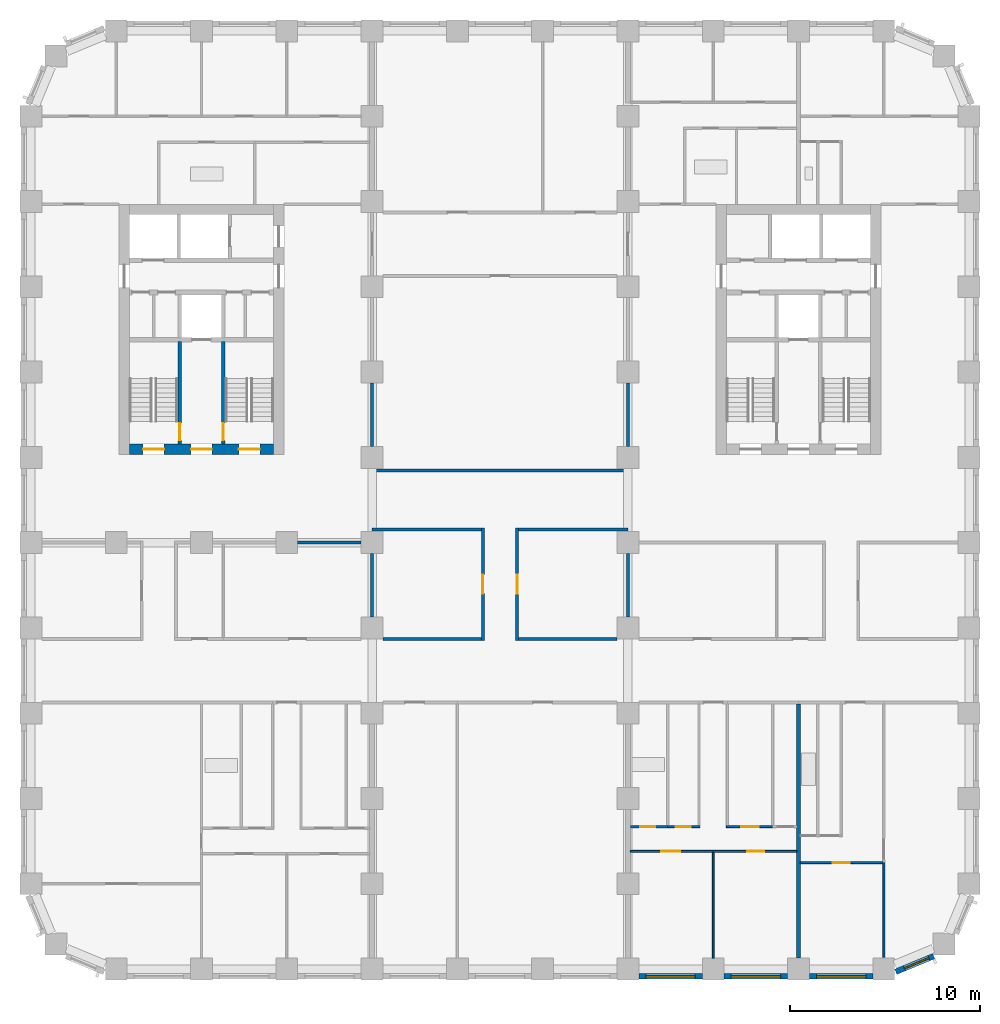
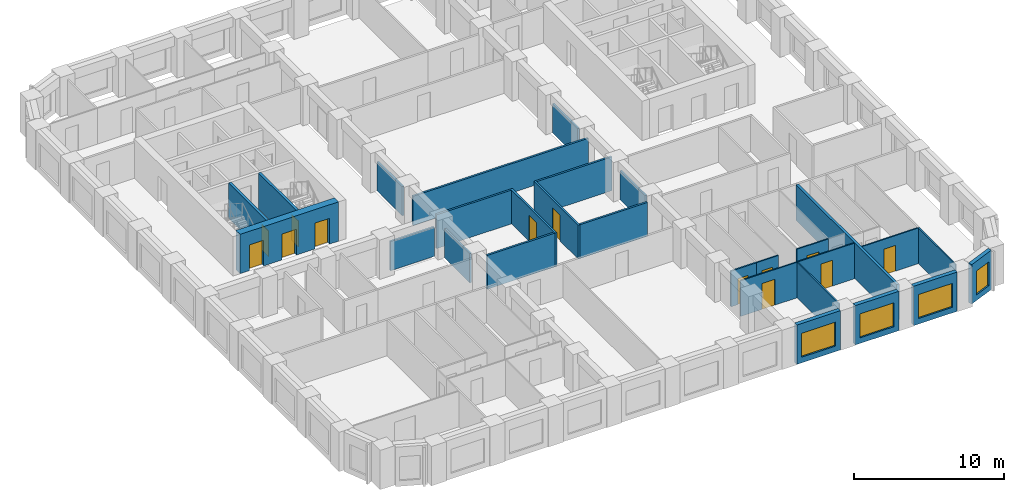
# One storey, part 4 of 12: 28 walls, 13 doors, 4 windows, 17 openings.
"""IFC4 building model written with IfcOpenShell, lengths in metres."""

from ifc_helpers import new_model, si_unit, direction, frame, frame_2d, origin, place, context, subcontext, project, spatial, rectangle, extrude, material, layer, layer_set, type_object, element, fill, save


model = new_model("IFC4")

# Units and contexts
model_context = context("Model", 3, precision=1e-05, world=origin(), true_north=direction((0.0, 1.0)))
body_context = subcontext(model_context, "Body", "Model", "MODEL_VIEW")
ifc_project = project(units=[si_unit("LENGTHUNIT", "METRE"), si_unit("AREAUNIT", "SQUARE_METRE"), si_unit("VOLUMEUNIT", "CUBIC_METRE"), si_unit("PLANEANGLEUNIT", "RADIAN"), si_unit("MASSUNIT", "GRAM", prefix="KILO")], contexts=[model_context])

# Site, building, storey
site_placement = place(None, origin())
site = spatial("IfcSite", under=ifc_project, at=site_placement, CompositionType="ELEMENT")
building_placement = place(site_placement, origin())
building = spatial("IfcBuilding", under=site, at=building_placement, Name="Girih Gate Residences", CompositionType="ELEMENT")
storey_placement = place(building_placement, frame((0.0, 0.0, 108.800048828125)))
storey = spatial("IfcBuildingStorey", under=building, at=storey_placement, Name="L30", CompositionType="ELEMENT", Elevation=108.800048828125)

# Wall, opening, door
ifc_material_1 = material(Name="Gypsum board on steel studs", Category="steel")
ifc_layer_1 = layer(ifc_material_1, 0.14990234375)
ifc_layer_set_1 = layer_set([ifc_layer_1], Name="Compartment wall 150 mm")
wall_type_1 = type_object("IfcWallType", Name="Compartment wall 150 mm", PredefinedType="PARTITIONING", material=ifc_layer_set_1)
wall_1_placement = place(storey_placement, frame((23.85009765625, 17.35009765625, 0.0), z_axis=(0.0, 0.0, 1.0), x_axis=(0.0, 1.0, 0.0)))
wall_1 = element("IfcWall", 1, at=wall_1_placement, inside=storey, type_object=wall_type_1, Name="L30 partition", PredefinedType="PARTITIONING", context=body_context, shape_type="SweptSolid", body=[
    extrude(rectangle(XDim=5.9248046875, YDim=0.14990234375, at=frame_2d((2.96240234375, 0.0))), origin(), (0.0, 0.0, 1.0), 2.75),
])
opening_1_placement = place(wall_1_placement, frame((2.46240234375, 0.0, 0.0)))
opening_1 = element("IfcOpeningElement", 2, at=opening_1_placement, cuts=wall_1, Name="Opening A30-046", PredefinedType="OPENING", context=body_context, shape_type="SweptSolid", body=[
    extrude(rectangle(XDim=1.0, YDim=2.10009765625, at=frame_2d((0.5, 1.050048828125))), frame((0.0, 0.0849609375, 0.0), z_axis=(0.0, -1.0, 0.0), x_axis=(1.0, 0.0, 0.0)), (0.0, 0.0, 1.0), 0.169921875),
])
ifc_material_2 = material(Name="Timber, fire-rated core", Category="wood")
door_type_1 = type_object("IfcDoorType", Name="Amenity room door 1000x2100 FD30S", OperationType="NOTDEFINED", PredefinedType="DOOR", material=ifc_material_2)
door_1_placement = place(opening_1_placement, origin())
door_1 = element("IfcDoor", 3, at=door_1_placement, inside=storey, type_object=door_type_1, Name="Door A30-046", OperationType="SINGLE_SWING_RIGHT", OverallHeight=2.10009765625, OverallWidth=1.0, PredefinedType="DOOR", context=body_context, shape_type="SweptSolid", body=[
    extrude(rectangle(XDim=1.0, YDim=2.10009765625, at=frame_2d((0.5, 1.050048828125))), frame((0.0, 0.02490234375, 0.0), z_axis=(0.0, -1.0, 0.0), x_axis=(1.0, 0.0, 0.0)), (0.0, 0.0, 1.0), 0.050048828125),
])
fill(opening_1, door_1)

wall_2_placement = place(storey_placement, frame((25.64990234375, 23.27490234375, 0.0), z_axis=(0.0, 0.0, 1.0), x_axis=(0.0, -1.0, 0.0)))
wall_2 = element("IfcWall", 4, at=wall_2_placement, inside=storey, type_object=wall_type_1, Name="L30 partition", PredefinedType="PARTITIONING", context=body_context, shape_type="SweptSolid", body=[
    extrude(rectangle(XDim=5.9248046875, YDim=0.14990234375, at=frame_2d((2.96240234375, 0.0))), origin(), (0.0, 0.0, 1.0), 2.75),
])
opening_2_placement = place(wall_2_placement, frame((2.46240234375, 0.0, 0.0)))
opening_2 = element("IfcOpeningElement", 5, at=opening_2_placement, cuts=wall_2, Name="Opening A30-047", PredefinedType="OPENING", context=body_context, shape_type="SweptSolid", body=[
    extrude(rectangle(XDim=1.0, YDim=2.10009765625, at=frame_2d((0.5, 1.050048828125))), frame((0.0, 0.0849609375, 0.0), z_axis=(0.0, -1.0, 0.0), x_axis=(1.0, 0.0, 0.0)), (0.0, 0.0, 1.0), 0.169921875),
])
door_2_placement = place(opening_2_placement, origin())
door_2 = element("IfcDoor", 6, at=door_2_placement, inside=storey, type_object=door_type_1, Name="Door A30-047", OperationType="SINGLE_SWING_RIGHT", OverallHeight=2.10009765625, OverallWidth=1.0, PredefinedType="DOOR", context=body_context, shape_type="SweptSolid", body=[
    extrude(rectangle(XDim=1.0, YDim=2.10009765625, at=frame_2d((0.5, 1.050048828125))), frame((0.0, 0.02490234375, 0.0), z_axis=(0.0, -1.0, 0.0), x_axis=(1.0, 0.0, 0.0)), (0.0, 0.0, 1.0), 0.050048828125),
])
fill(opening_2, door_2)

# Walls
for number, where, z_axis, x_axis, name in (
    (7, (18.574951171875, 17.425048828125, 0.0), (0.0, 0.0, 1.0), (1.0, 0.0, 0.0), "L30 partition"),
    (8, (25.72509765625, 17.425048828125, 0.0), (0.0, 0.0, 1.0), (1.0, 0.0, 0.0), "L30 partition"),
):
    element("IfcWall", number, at=place(storey_placement, frame(where, z_axis=z_axis, x_axis=x_axis)), inside=storey, type_object=wall_type_1, Name=name, PredefinedType="PARTITIONING", context=body_context, shape_type="SweptSolid", body=[
        extrude(rectangle(XDim=5.199951171875, YDim=0.14990234375, at=frame_2d((2.60009765625, 0.0))), origin(), (0.0, 0.0, 1.0), 2.75),
    ])
for number, where, z_axis, x_axis, name in (
    (9, (31.5, 27.574951171875, 0.0), (0.0, 0.0, 1.0), (0.0, 1.0, 0.0), "L30 partition"),
    (10, (18.0, 27.574951171875, 0.0), (0.0, 0.0, 1.0), (0.0, 1.0, 0.0), "L30 partition"),
):
    element("IfcWall", number, at=place(storey_placement, frame(where, z_axis=z_axis, x_axis=x_axis)), inside=storey, type_object=wall_type_1, Name=name, PredefinedType="PARTITIONING", context=body_context, shape_type="SweptSolid", body=[
        extrude(rectangle(XDim=3.35009765625, YDim=0.14990234375, at=frame_2d((1.675048828125, 0.0))), origin(), (0.0, 0.0, 1.0), 2.3798828125),
    ])
wall_3_placement = place(storey_placement, frame((18.0, 26.300048828125, 0.0), z_axis=(0.0, 0.0, 1.0), x_axis=(1.0, 0.0, 0.0)))
element("IfcWall", 11, at=wall_3_placement, inside=storey, type_object=wall_type_1, Name="L30 partition", PredefinedType="PARTITIONING", context=body_context, shape_type="SweptSolid", body=[
    extrude(rectangle(XDim=13.5, YDim=0.14990234375, at=frame_2d((6.75, 0.0))), origin(), (0.0, 0.0, 1.0), 2.3798828125),
])
wall_4_placement = place(storey_placement, frame((18.0, 23.199951171875, 0.0), z_axis=(0.0, 0.0, 1.0), x_axis=(1.0, 0.0, 0.0)))
element("IfcWall", 12, at=wall_4_placement, inside=storey, type_object=wall_type_1, Name="L30 partition", PredefinedType="PARTITIONING", context=body_context, shape_type="SweptSolid", body=[
    extrude(rectangle(XDim=5.77490234375, YDim=0.14990234375, at=frame_2d((2.887451171875, 0.0))), origin(), (0.0, 0.0, 1.0), 2.75),
])
wall_5_placement = place(storey_placement, frame((18.0, 18.574951171875, 0.0), z_axis=(0.0, 0.0, 1.0), x_axis=(0.0, 1.0, 0.0)))
element("IfcWall", 13, at=wall_5_placement, inside=storey, type_object=wall_type_1, Name="L30 partition", PredefinedType="PARTITIONING", context=body_context, shape_type="SweptSolid", body=[
    extrude(rectangle(XDim=3.35009765625, YDim=0.14990234375, at=frame_2d((1.675048828125, 0.0))), origin(), (0.0, 0.0, 1.0), 2.3798828125),
])
wall_6_placement = place(storey_placement, frame((25.72509765625, 23.199951171875, 0.0), z_axis=(0.0, 0.0, 1.0), x_axis=(1.0, 0.0, 0.0)))
element("IfcWall", 14, at=wall_6_placement, inside=storey, type_object=wall_type_1, Name="L30 partition", PredefinedType="PARTITIONING", context=body_context, shape_type="SweptSolid", body=[
    extrude(rectangle(XDim=5.77490234375, YDim=0.14990234375, at=frame_2d((2.887451171875, 0.0))), origin(), (0.0, 0.0, 1.0), 2.75),
])
for number, where, z_axis, x_axis, name in (
    (15, (31.5, 18.574951171875, 0.0), (0.0, 0.0, 1.0), (0.0, 1.0, 0.0), "L30 partition"),
    (16, (14.074951171875, 22.5, 0.0), (0.0, 0.0, 1.0), (1.0, 0.0, 0.0), "L30 partition"),
):
    element("IfcWall", number, at=place(storey_placement, frame(where, z_axis=z_axis, x_axis=x_axis)), inside=storey, type_object=wall_type_1, Name=name, PredefinedType="PARTITIONING", context=body_context, shape_type="SweptSolid", body=[
        extrude(rectangle(XDim=3.35009765625, YDim=0.14990234375, at=frame_2d((1.675048828125, 0.0))), origin(), (0.0, 0.0, 1.0), 2.3798828125),
    ])

# Wall, openings, doors
ifc_material_3 = material(Name="Concrete C60/75", Category="concrete")
ifc_layer_2 = layer(ifc_material_3, 0.550048828125)
ifc_layer_set_2 = layer_set([ifc_layer_2], Name="Core wall RC 550 Concrete C60/75")
wall_type_2 = type_object("IfcWallType", Name="Core wall RC 550 Concrete C60/75", PredefinedType="SOLIDWALL", material=ifc_layer_set_2)
wall_7_placement = place(storey_placement, frame((5.199951171875, 27.425048828125, 0.0), z_axis=(0.0, 0.0, 1.0), x_axis=(1.0, 0.0, 0.0)))
wall_7 = element("IfcWall", 17, at=wall_7_placement, inside=storey, type_object=wall_type_2, Name="Core wall W-S L30", PredefinedType="SOLIDWALL", context=body_context, shape_type="SweptSolid", body=[
    extrude(rectangle(XDim=7.60009765625, YDim=0.550048828125, at=frame_2d((3.800048828125, 0.0))), origin(), (0.0, 0.0, 1.0), 3.199951171875),
])
opening_3_placement = place(wall_7_placement, frame((0.72509765625, 0.0, 0.0)))
opening_3 = element("IfcOpeningElement", 18, at=opening_3_placement, cuts=wall_7, Name="Opening D-L30-W-010", PredefinedType="OPENING", context=body_context, shape_type="SweptSolid", body=[
    extrude(rectangle(XDim=1.10009765625, YDim=2.10009765625, at=frame_2d((0.550048828125, 1.050048828125))), frame((0.0, 0.284912109375, 0.0), z_axis=(0.0, -1.0, 0.0), x_axis=(1.0, 0.0, 0.0)), (0.0, 0.0, 1.0), 0.570068359375),
])
opening_4_placement = place(wall_7_placement, frame((3.25, 0.0, 0.0)))
opening_4 = element("IfcOpeningElement", 19, at=opening_4_placement, cuts=wall_7, Name="Opening D-L30-W-011", PredefinedType="OPENING", context=body_context, shape_type="SweptSolid", body=[
    extrude(rectangle(XDim=1.10009765625, YDim=2.10009765625, at=frame_2d((0.550048828125, 1.050048828125))), frame((0.0, 0.284912109375, 0.0), z_axis=(0.0, -1.0, 0.0), x_axis=(1.0, 0.0, 0.0)), (0.0, 0.0, 1.0), 0.570068359375),
])
opening_5_placement = place(wall_7_placement, frame((5.77490234375, 0.0, 0.0)))
opening_5 = element("IfcOpeningElement", 20, at=opening_5_placement, cuts=wall_7, Name="Opening D-L30-W-012", PredefinedType="OPENING", context=body_context, shape_type="SweptSolid", body=[
    extrude(rectangle(XDim=1.10009765625, YDim=2.10009765625, at=frame_2d((0.550048828125, 1.050048828125))), frame((0.0, 0.284912109375, 0.0), z_axis=(0.0, -1.0, 0.0), x_axis=(1.0, 0.0, 0.0)), (0.0, 0.0, 1.0), 0.570068359375),
])
ifc_material_4 = material(Name="Painted steel, fire-resisting", Category="steel")
door_type_2 = type_object("IfcDoorType", Name="Fire door 1100x2100", OperationType="SINGLE_SWING_LEFT", PredefinedType="DOOR", material=ifc_material_4)
door_3_placement = place(opening_3_placement, origin())
door_3 = element("IfcDoor", 21, at=door_3_placement, inside=storey, type_object=door_type_2, Name="L30 W core door sta-out", OperationType="SINGLE_SWING_LEFT", OverallHeight=2.10009765625, OverallWidth=1.10009765625, PredefinedType="DOOR", context=body_context, shape_type="SweptSolid", body=[
    extrude(rectangle(XDim=1.10009765625, YDim=2.10009765625, at=frame_2d((0.550048828125, 1.050048828125))), frame((0.0, 0.02490234375, 0.0), z_axis=(0.0, -1.0, 0.0), x_axis=(1.0, 0.0, 0.0)), (0.0, 0.0, 1.0), 0.050048828125),
])
fill(opening_3, door_3)
door_4_placement = place(opening_4_placement, origin())
door_4 = element("IfcDoor", 22, at=door_4_placement, inside=storey, type_object=door_type_2, Name="L30 W core door ffl-out", OperationType="SINGLE_SWING_LEFT", OverallHeight=2.10009765625, OverallWidth=1.10009765625, PredefinedType="DOOR", context=body_context, shape_type="SweptSolid", body=[
    extrude(rectangle(XDim=1.10009765625, YDim=2.10009765625, at=frame_2d((0.550048828125, 1.050048828125))), frame((0.0, 0.02490234375, 0.0), z_axis=(0.0, -1.0, 0.0), x_axis=(1.0, 0.0, 0.0)), (0.0, 0.0, 1.0), 0.050048828125),
])
fill(opening_4, door_4)
door_5_placement = place(opening_5_placement, origin())
door_5 = element("IfcDoor", 23, at=door_5_placement, inside=storey, type_object=door_type_2, Name="L30 W core door stb-out", OperationType="SINGLE_SWING_LEFT", OverallHeight=2.10009765625, OverallWidth=1.10009765625, PredefinedType="DOOR", context=body_context, shape_type="SweptSolid", body=[
    extrude(rectangle(XDim=1.10009765625, YDim=2.10009765625, at=frame_2d((0.550048828125, 1.050048828125))), frame((0.0, 0.02490234375, 0.0), z_axis=(0.0, -1.0, 0.0), x_axis=(1.0, 0.0, 0.0)), (0.0, 0.0, 1.0), 0.050048828125),
])
fill(opening_5, door_5)

# Wall, opening, door
ifc_layer_3 = layer(ifc_material_1, 0.10009765625)
ifc_layer_set_3 = layer_set([ifc_layer_3], Name="Partition 100 mm")
wall_type_3 = type_object("IfcWallType", Name="Partition 100 mm", PredefinedType="PARTITIONING", material=ifc_layer_set_3)
wall_8_placement = place(storey_placement, frame((44.949951171875, 5.614990234375, 0.0), z_axis=(0.0, 0.0, 1.0), x_axis=(-1.0, 0.0, 0.0)))
wall_8 = element("IfcWall", 24, at=wall_8_placement, inside=storey, type_object=wall_type_3, Name="L30 partition", PredefinedType="PARTITIONING", context=body_context, shape_type="SweptSolid", body=[
    extrude(rectangle(XDim=4.349853515625, YDim=0.10009765625, at=frame_2d((2.1748046875, 0.0))), origin(), (0.0, 0.0, 1.0), 2.89990234375),
])
opening_6_placement = place(wall_8_placement, frame((1.75, 0.0, 0.0)))
opening_6 = element("IfcOpeningElement", 25, at=opening_6_placement, cuts=wall_8, Name="Opening A30-018", PredefinedType="OPENING", context=body_context, shape_type="SweptSolid", body=[
    extrude(rectangle(XDim=0.89990234375, YDim=2.10009765625, at=frame_2d((0.449951171875, 1.050048828125))), frame((0.0, 0.06005859375, 0.0), z_axis=(0.0, -1.0, 0.0), x_axis=(1.0, 0.0, 0.0)), (0.0, 0.0, 1.0), 0.1201171875),
])
ifc_material_5 = material(Name="Timber", Category="wood")
door_type_3 = type_object("IfcDoorType", Name="Bedroom door 900x2100", OperationType="NOTDEFINED", PredefinedType="DOOR", material=ifc_material_5)
door_6_placement = place(opening_6_placement, origin())
door_6 = element("IfcDoor", 26, at=door_6_placement, inside=storey, type_object=door_type_3, Name="Door A30-018", OperationType="SINGLE_SWING_RIGHT", OverallHeight=2.10009765625, OverallWidth=0.89990234375, PredefinedType="DOOR", context=body_context, shape_type="SweptSolid", body=[
    extrude(rectangle(XDim=0.89990234375, YDim=2.10009765625, at=frame_2d((0.449951171875, 1.050048828125))), frame((0.0, 0.02490234375, 0.0), z_axis=(0.0, -1.0, 0.0), x_axis=(1.0, 0.0, 0.0)), (0.0, 0.0, 1.0), 0.050048828125),
])
fill(opening_6, door_6)

# Wall
wall_9_placement = place(storey_placement, frame((45.0, 0.622314453125, 0.0), z_axis=(0.0, 0.0, 1.0), x_axis=(0.0, 1.0, 0.0)))
element("IfcWall", 27, at=wall_9_placement, inside=storey, type_object=wall_type_3, Name="L30 partition", PredefinedType="PARTITIONING", context=body_context, shape_type="SweptSolid", body=[
    extrude(rectangle(XDim=4.99267578125, YDim=0.10009765625, at=frame_2d((2.496337890625, 0.0))), origin(), (0.0, 0.0, 1.0), 2.89990234375),
])

# Wall, opening, door
wall_10_placement = place(storey_placement, frame((40.39990234375, 6.215087890625, 0.0), z_axis=(0.0, 0.0, 1.0), x_axis=(-1.0, 0.0, 0.0)))
wall_10 = element("IfcWall", 28, at=wall_10_placement, inside=storey, type_object=wall_type_3, Name="L30 partition", PredefinedType="PARTITIONING", context=body_context, shape_type="SweptSolid", body=[
    extrude(rectangle(XDim=4.39990234375, YDim=0.10009765625, at=frame_2d((2.199951171875, 0.0))), origin(), (0.0, 0.0, 1.0), 2.89990234375),
])
opening_7_placement = place(wall_10_placement, frame((1.699951171875, 0.0, 0.0)))
opening_7 = element("IfcOpeningElement", 29, at=opening_7_placement, cuts=wall_10, Name="Opening A30-023", PredefinedType="OPENING", context=body_context, shape_type="SweptSolid", body=[
    extrude(rectangle(XDim=0.89990234375, YDim=2.10009765625, at=frame_2d((0.449951171875, 1.050048828125))), frame((0.0, 0.06005859375, 0.0), z_axis=(0.0, -1.0, 0.0), x_axis=(1.0, 0.0, 0.0)), (0.0, 0.0, 1.0), 0.1201171875),
])
door_7_placement = place(opening_7_placement, origin())
door_7 = element("IfcDoor", 30, at=door_7_placement, inside=storey, type_object=door_type_3, Name="Door A30-023", OperationType="SINGLE_SWING_LEFT", OverallHeight=2.10009765625, OverallWidth=0.89990234375, PredefinedType="DOOR", context=body_context, shape_type="SweptSolid", body=[
    extrude(rectangle(XDim=0.89990234375, YDim=2.10009765625, at=frame_2d((0.449951171875, 1.050048828125))), frame((0.0, 0.02490234375, 0.0), z_axis=(0.0, -1.0, 0.0), x_axis=(1.0, 0.0, 0.0)), (0.0, 0.0, 1.0), 0.050048828125),
])
fill(opening_7, door_7)

# Wall
wall_11_placement = place(storey_placement, frame((36.0, 0.574951171875, 0.0), z_axis=(0.0, 0.0, 1.0), x_axis=(0.0, 1.0, 0.0)))
element("IfcWall", 31, at=wall_11_placement, inside=storey, type_object=wall_type_3, Name="L30 partition", PredefinedType="PARTITIONING", context=body_context, shape_type="SweptSolid", body=[
    extrude(rectangle(XDim=5.590087890625, YDim=0.10009765625, at=frame_2d((2.794921875, 0.0))), origin(), (0.0, 0.0, 1.0), 2.89990234375),
])

# Wall, opening, door
wall_12_placement = place(storey_placement, frame((36.699951171875, 7.514892578125, 0.0), z_axis=(0.0, 0.0, 1.0), x_axis=(1.0, 0.0, 0.0)))
wall_12 = element("IfcWall", 32, at=wall_12_placement, inside=storey, type_object=wall_type_3, Name="L30 partition", PredefinedType="PARTITIONING", context=body_context, shape_type="SweptSolid", body=[
    extrude(rectangle(XDim=2.432861328125, YDim=0.10009765625, at=frame_2d((1.21630859375, 0.0))), origin(), (0.0, 0.0, 1.0), 2.89990234375),
])
opening_8_placement = place(wall_12_placement, frame((0.79150390625, 0.0, 0.0)))
opening_8 = element("IfcOpeningElement", 33, at=opening_8_placement, cuts=wall_12, Name="Opening A30-024", PredefinedType="OPENING", context=body_context, shape_type="SweptSolid", body=[
    extrude(rectangle(XDim=0.89990234375, YDim=2.10009765625, at=frame_2d((0.449951171875, 1.050048828125))), frame((0.0, 0.06005859375, 0.0), z_axis=(0.0, -1.0, 0.0), x_axis=(1.0, 0.0, 0.0)), (0.0, 0.0, 1.0), 0.1201171875),
])
door_type_4 = type_object("IfcDoorType", Name="Kitchen door 900x2100", OperationType="NOTDEFINED", PredefinedType="DOOR", material=ifc_material_5)
door_8_placement = place(opening_8_placement, origin())
door_8 = element("IfcDoor", 34, at=door_8_placement, inside=storey, type_object=door_type_4, Name="Door A30-024", OperationType="SINGLE_SWING_RIGHT", OverallHeight=2.10009765625, OverallWidth=0.89990234375, PredefinedType="DOOR", context=body_context, shape_type="SweptSolid", body=[
    extrude(rectangle(XDim=0.89990234375, YDim=2.10009765625, at=frame_2d((0.449951171875, 1.050048828125))), frame((0.0, 0.02490234375, 0.0), z_axis=(0.0, -1.0, 0.0), x_axis=(1.0, 0.0, 0.0)), (0.0, 0.0, 1.0), 0.050048828125),
])
fill(opening_8, door_8)

wall_13_placement = place(storey_placement, frame((36.0, 6.215087890625, 0.0), z_axis=(0.0, 0.0, 1.0), x_axis=(-1.0, 0.0, 0.0)))
wall_13 = element("IfcWall", 35, at=wall_13_placement, inside=storey, type_object=wall_type_3, Name="L30 partition", PredefinedType="PARTITIONING", context=body_context, shape_type="SweptSolid", body=[
    extrude(rectangle(XDim=4.375, YDim=0.10009765625, at=frame_2d((2.1875, 0.0))), origin(), (0.0, 0.0, 1.0), 2.89990234375),
])
opening_9_placement = place(wall_13_placement, frame((1.75, 0.0, 0.0)))
opening_9 = element("IfcOpeningElement", 36, at=opening_9_placement, cuts=wall_13, Name="Opening A30-025", PredefinedType="OPENING", context=body_context, shape_type="SweptSolid", body=[
    extrude(rectangle(XDim=1.0, YDim=2.10009765625, at=frame_2d((0.5, 1.050048828125))), frame((0.0, 0.06005859375, 0.0), z_axis=(0.0, -1.0, 0.0), x_axis=(1.0, 0.0, 0.0)), (0.0, 0.0, 1.0), 0.1201171875),
])
door_type_5 = type_object("IfcDoorType", Name="Living room door 1000x2100", OperationType="NOTDEFINED", PredefinedType="DOOR", material=ifc_material_5)
door_9_placement = place(opening_9_placement, origin())
door_9 = element("IfcDoor", 37, at=door_9_placement, inside=storey, type_object=door_type_5, Name="Door A30-025", OperationType="SINGLE_SWING_RIGHT", OverallHeight=2.10009765625, OverallWidth=1.0, PredefinedType="DOOR", context=body_context, shape_type="SweptSolid", body=[
    extrude(rectangle(XDim=1.0, YDim=2.10009765625, at=frame_2d((0.5, 1.050048828125))), frame((0.0, 0.02490234375, 0.0), z_axis=(0.0, -1.0, 0.0), x_axis=(1.0, 0.0, 0.0)), (0.0, 0.0, 1.0), 0.050048828125),
])
fill(opening_9, door_9)

wall_14_placement = place(storey_placement, frame((33.591064453125, 7.514892578125, 0.0), z_axis=(0.0, 0.0, 1.0), x_axis=(1.0, 0.0, 0.0)))
wall_14 = element("IfcWall", 38, at=wall_14_placement, inside=storey, type_object=wall_type_3, Name="L30 partition", PredefinedType="PARTITIONING", context=body_context, shape_type="SweptSolid", body=[
    extrude(rectangle(XDim=1.708984375, YDim=0.10009765625, at=frame_2d((0.8544921875, 0.0))), origin(), (0.0, 0.0, 1.0), 2.89990234375),
])
opening_10_placement = place(wall_14_placement, frame((0.429443359375, 0.0, 0.0)))
opening_10 = element("IfcOpeningElement", 39, at=opening_10_placement, cuts=wall_14, Name="Opening A30-027", PredefinedType="OPENING", context=body_context, shape_type="SweptSolid", body=[
    extrude(rectangle(XDim=0.800048828125, YDim=2.10009765625, at=frame_2d((0.39990234375, 1.050048828125))), frame((0.0, 0.06005859375, 0.0), z_axis=(0.0, -1.0, 0.0), x_axis=(1.0, 0.0, 0.0)), (0.0, 0.0, 1.0), 0.1201171875),
])
door_type_6 = type_object("IfcDoorType", Name="Store door 800x2100", OperationType="NOTDEFINED", PredefinedType="DOOR", material=ifc_material_5)
door_10_placement = place(opening_10_placement, origin())
door_10 = element("IfcDoor", 40, at=door_10_placement, inside=storey, type_object=door_type_6, Name="Door A30-027", OperationType="SINGLE_SWING_LEFT", OverallHeight=2.10009765625, OverallWidth=0.800048828125, PredefinedType="DOOR", context=body_context, shape_type="SweptSolid", body=[
    extrude(rectangle(XDim=0.800048828125, YDim=2.10009765625, at=frame_2d((0.39990234375, 1.050048828125))), frame((0.0, 0.02490234375, 0.0), z_axis=(0.0, -1.0, 0.0), x_axis=(1.0, 0.0, 0.0)), (0.0, 0.0, 1.0), 0.050048828125),
])
fill(opening_10, door_10)

# Wall
ifc_layer_4 = layer(ifc_material_1, 0.199951171875)
ifc_layer_set_4 = layer_set([ifc_layer_4], Name="Party wall 200 mm")
wall_type_4 = type_object("IfcWallType", Name="Party wall 200 mm", PredefinedType="PARTITIONING", material=ifc_layer_set_4)
wall_15_placement = place(storey_placement, frame((40.5, 0.574951171875, 0.0), z_axis=(0.0, 0.0, 1.0), x_axis=(0.0, 1.0, 0.0)))
element("IfcWall", 41, at=wall_15_placement, inside=storey, type_object=wall_type_4, Name="L30 partition", PredefinedType="PARTITIONING", context=body_context, shape_type="SweptSolid", body=[
    extrude(rectangle(XDim=13.425048828125, YDim=0.199951171875, at=frame_2d((6.71240234375, 0.0))), origin(), (0.0, 0.0, 1.0), 2.89990234375),
])

# Wall, opening, window
ifc_material_6 = material(Name="Precast concrete C50/60", Category="concrete")
ifc_layer_5 = layer(ifc_material_6, 0.080078125, Name="Outer leaf")
ifc_material_7 = material(Name="Rigid PIR insulation")
ifc_layer_6 = layer(ifc_material_7, 0.14990234375, Name="Insulation")
ifc_material_8 = material(Name="Precast concrete C40/50", Category="concrete")
ifc_layer_7 = layer(ifc_material_8, 0.070068359375, Name="Inner leaf")
ifc_layer_set_5 = layer_set([ifc_layer_5, ifc_layer_6, ifc_layer_7], Name="Precast concrete C50/60 external wall 300")
wall_type_5 = type_object("IfcWallType", Name="Precast concrete C50/60 external wall 300", PredefinedType="SOLIDWALL", material=ifc_layer_set_5)
wall_16_placement = place(storey_placement, frame((35.425048828125, -0.375, 0.0), z_axis=(0.0, 0.0, 1.0), x_axis=(-1.0, 0.0, 0.0)))
wall_16 = element("IfcWall", 42, at=wall_16_placement, inside=storey, type_object=wall_type_5, Name="External wall S0045_0000.6", PredefinedType="SOLIDWALL", context=body_context, shape_type="SweptSolid", body=[
    extrude(rectangle(XDim=3.35009765625, YDim=0.300048828125, at=frame_2d((1.675048828125, 0.0))), origin(), (0.0, 0.0, 1.0), 3.199951171875),
])
opening_11_placement = place(wall_16_placement, frame((0.375, 0.0, 0.449951171875)))
opening_11 = element("IfcOpeningElement", 43, at=opening_11_placement, cuts=wall_16, Name="Opening W-1A", PredefinedType="OPENING", context=body_context, shape_type="SweptSolid", body=[
    extrude(rectangle(XDim=2.60009765625, YDim=1.949951171875, at=frame_2d((1.300048828125, 0.97509765625))), frame((0.0, 0.159912109375, 0.0), z_axis=(0.0, -1.0, 0.0), x_axis=(1.0, 0.0, 0.0)), (0.0, 0.0, 1.0), 0.320068359375),
])
ifc_material_9 = material(Name="Double glazing in aluminium frame", Category="aluminium")
window_type_1 = type_object("IfcWindowType", Name="Window W-1A 2600x1950", PartitioningType="SINGLE_PANEL", PredefinedType="WINDOW", material=ifc_material_9)
window_1_placement = place(opening_11_placement, origin())
window_1 = element("IfcWindow", 44, at=window_1_placement, inside=storey, type_object=window_type_1, Name="Window W-1A S0045_0000.6", OverallHeight=1.949951171875, OverallWidth=2.60009765625, PartitioningType="SINGLE_PANEL", PredefinedType="WINDOW", context=body_context, shape_type="SweptSolid", body=[
    extrude(rectangle(XDim=2.60009765625, YDim=1.949951171875, at=frame_2d((1.300048828125, 0.97509765625))), frame((0.0, 0.030029296875, 0.0), z_axis=(0.0, -1.0, 0.0), x_axis=(1.0, 0.0, 0.0)), (0.0, 0.0, 1.0), 0.06005859375),
])
fill(opening_11, window_1)

wall_17_placement = place(storey_placement, frame((39.925048828125, -0.375, 0.0), z_axis=(0.0, 0.0, 1.0), x_axis=(-1.0, 0.0, 0.0)))
wall_17 = element("IfcWall", 45, at=wall_17_placement, inside=storey, type_object=wall_type_5, Name="External wall S0045_0000.7", PredefinedType="SOLIDWALL", context=body_context, shape_type="SweptSolid", body=[
    extrude(rectangle(XDim=3.35009765625, YDim=0.300048828125, at=frame_2d((1.675048828125, 0.0))), origin(), (0.0, 0.0, 1.0), 3.199951171875),
])
opening_12_placement = place(wall_17_placement, frame((0.375, 0.0, 0.449951171875)))
opening_12 = element("IfcOpeningElement", 46, at=opening_12_placement, cuts=wall_17, Name="Opening W-1A", PredefinedType="OPENING", context=body_context, shape_type="SweptSolid", body=[
    extrude(rectangle(XDim=2.60009765625, YDim=1.949951171875, at=frame_2d((1.300048828125, 0.97509765625))), frame((0.0, 0.159912109375, 0.0), z_axis=(0.0, -1.0, 0.0), x_axis=(1.0, 0.0, 0.0)), (0.0, 0.0, 1.0), 0.320068359375),
])
window_2_placement = place(opening_12_placement, origin())
window_2 = element("IfcWindow", 47, at=window_2_placement, inside=storey, type_object=window_type_1, Name="Window W-1A S0045_0000.7", OverallHeight=1.949951171875, OverallWidth=2.60009765625, PartitioningType="SINGLE_PANEL", PredefinedType="WINDOW", context=body_context, shape_type="SweptSolid", body=[
    extrude(rectangle(XDim=2.60009765625, YDim=1.949951171875, at=frame_2d((1.300048828125, 0.97509765625))), frame((0.0, 0.030029296875, 0.0), z_axis=(0.0, -1.0, 0.0), x_axis=(1.0, 0.0, 0.0)), (0.0, 0.0, 1.0), 0.06005859375),
])
fill(opening_12, window_2)

wall_18_placement = place(storey_placement, frame((44.425048828125, -0.375, 0.0), z_axis=(0.0, 0.0, 1.0), x_axis=(-1.0, 0.0, 0.0)))
wall_18 = element("IfcWall", 48, at=wall_18_placement, inside=storey, type_object=wall_type_5, Name="External wall S0045_0000.8", PredefinedType="SOLIDWALL", context=body_context, shape_type="SweptSolid", body=[
    extrude(rectangle(XDim=3.35009765625, YDim=0.300048828125, at=frame_2d((1.675048828125, 0.0))), origin(), (0.0, 0.0, 1.0), 3.199951171875),
])
opening_13_placement = place(wall_18_placement, frame((0.375, 0.0, 0.449951171875)))
opening_13 = element("IfcOpeningElement", 49, at=opening_13_placement, cuts=wall_18, Name="Opening W-1A", PredefinedType="OPENING", context=body_context, shape_type="SweptSolid", body=[
    extrude(rectangle(XDim=2.60009765625, YDim=1.949951171875, at=frame_2d((1.300048828125, 0.97509765625))), frame((0.0, 0.159912109375, 0.0), z_axis=(0.0, -1.0, 0.0), x_axis=(1.0, 0.0, 0.0)), (0.0, 0.0, 1.0), 0.320068359375),
])
window_3_placement = place(opening_13_placement, origin())
window_3 = element("IfcWindow", 50, at=window_3_placement, inside=storey, type_object=window_type_1, Name="Window W-1A S0045_0000.8", OverallHeight=1.949951171875, OverallWidth=2.60009765625, PartitioningType="SINGLE_PANEL", PredefinedType="WINDOW", context=body_context, shape_type="SweptSolid", body=[
    extrude(rectangle(XDim=2.60009765625, YDim=1.949951171875, at=frame_2d((1.300048828125, 0.97509765625))), frame((0.0, 0.030029296875, 0.0), z_axis=(0.0, -1.0, 0.0), x_axis=(1.0, 0.0, 0.0)), (0.0, 0.0, 1.0), 0.06005859375),
])
fill(opening_13, window_3)

wall_19_placement = place(storey_placement, frame((47.63134765625, 0.68408203125, 0.0), z_axis=(0.0, 0.0, 1.0), x_axis=(-0.923862802911, -0.382723818695, 0.0)))
wall_19 = element("IfcWall", 51, at=wall_19_placement, inside=storey, type_object=wall_type_5, Name="External wall SE0450_0000.0", PredefinedType="SOLIDWALL", context=body_context, shape_type="SweptSolid", body=[
    extrude(rectangle(XDim=2.163818359375, YDim=0.300048828125, at=frame_2d((1.08203125, 0.0))), origin(), (0.0, 0.0, 1.0), 3.199951171875),
])
opening_14_placement = place(wall_19_placement, frame((0.270751953125, 0.0, 0.449951171875)))
opening_14 = element("IfcOpeningElement", 52, at=opening_14_placement, cuts=wall_19, Name="Opening W-2D", PredefinedType="OPENING", context=body_context, shape_type="SweptSolid", body=[
    extrude(rectangle(XDim=1.39990234375, YDim=1.949951171875, at=frame_2d((0.699951171875, 0.97509765625))), frame((0.0, 0.159912109375, 0.0), z_axis=(0.0, -1.0, 0.0), x_axis=(1.0, 0.0, 0.0)), (0.0, 0.0, 1.0), 0.320068359375),
])
window_type_2 = type_object("IfcWindowType", Name="Window W-2D 1400x1950", PartitioningType="SINGLE_PANEL", PredefinedType="WINDOW", material=ifc_material_9)
window_4_placement = place(opening_14_placement, origin())
window_4 = element("IfcWindow", 53, at=window_4_placement, inside=storey, type_object=window_type_2, Name="Window W-2D SE0450_0000.0", OverallHeight=1.949951171875, OverallWidth=1.39990234375, PartitioningType="SINGLE_PANEL", PredefinedType="WINDOW", context=body_context, shape_type="SweptSolid", body=[
    extrude(rectangle(XDim=1.39990234375, YDim=1.949951171875, at=frame_2d((0.699951171875, 0.97509765625))), frame((0.0, 0.030029296875, 0.0), z_axis=(0.0, -1.0, 0.0), x_axis=(1.0, 0.0, 0.0)), (0.0, 0.0, 1.0), 0.06005859375),
])
fill(opening_14, window_4)

# Wall, opening, door
ifc_material_10 = material(Name="Concrete C40/50", Category="concrete")
ifc_layer_8 = layer(ifc_material_10, 0.199951171875)
ifc_layer_set_6 = layer_set([ifc_layer_8], Name="Shaft wall 200")
wall_type_6 = type_object("IfcWallType", Name="Shaft wall 200", PredefinedType="SOLIDWALL", material=ifc_layer_set_6)
wall_20_placement = place(storey_placement, frame((7.85009765625, 27.699951171875, 0.0), z_axis=(0.0, 0.0, 1.0), x_axis=(0.0, 1.0, 0.0)))
wall_20 = element("IfcWall", 54, at=wall_20_placement, inside=storey, type_object=wall_type_6, Name="L30 W core wall V1a", PredefinedType="SOLIDWALL", context=body_context, shape_type="SweptSolid", body=[
    extrude(rectangle(XDim=5.400146484375, YDim=0.199951171875, at=frame_2d((2.7001953125, 0.0))), origin(), (0.0, 0.0, 1.0), 2.89990234375),
])
opening_15_placement = place(wall_20_placement, frame((0.199951171875, 0.0, 0.0)))
opening_15 = element("IfcOpeningElement", 55, at=opening_15_placement, cuts=wall_20, Name="Opening D-L30-W-001", PredefinedType="OPENING", context=body_context, shape_type="SweptSolid", body=[
    extrude(rectangle(XDim=0.89990234375, YDim=2.10009765625, at=frame_2d((0.449951171875, 1.050048828125))), frame((0.0, 0.10986328125, 0.0), z_axis=(0.0, -1.0, 0.0), x_axis=(1.0, 0.0, 0.0)), (0.0, 0.0, 1.0), 0.219970703125),
])
door_type_7 = type_object("IfcDoorType", Name="Fire door 900x2100", OperationType="SINGLE_SWING_LEFT", PredefinedType="DOOR", material=ifc_material_4)
door_11_placement = place(opening_15_placement, origin())
door_11 = element("IfcDoor", 56, at=door_11_placement, inside=storey, type_object=door_type_7, Name="L30 W door stair 1 to firefighting lobby", OperationType="SINGLE_SWING_LEFT", OverallHeight=2.10009765625, OverallWidth=0.89990234375, PredefinedType="DOOR", context=body_context, shape_type="SweptSolid", body=[
    extrude(rectangle(XDim=0.89990234375, YDim=2.10009765625, at=frame_2d((0.449951171875, 1.050048828125))), frame((0.0, 0.02490234375, 0.0), z_axis=(0.0, -1.0, 0.0), x_axis=(1.0, 0.0, 0.0)), (0.0, 0.0, 1.0), 0.050048828125),
])
fill(opening_15, door_11)

wall_21_placement = place(storey_placement, frame((10.14990234375, 27.699951171875, 0.0), z_axis=(0.0, 0.0, 1.0), x_axis=(0.0, 1.0, 0.0)))
wall_21 = element("IfcWall", 57, at=wall_21_placement, inside=storey, type_object=wall_type_6, Name="L30 W core wall V2a", PredefinedType="SOLIDWALL", context=body_context, shape_type="SweptSolid", body=[
    extrude(rectangle(XDim=5.400146484375, YDim=0.199951171875, at=frame_2d((2.7001953125, 0.0))), origin(), (0.0, 0.0, 1.0), 2.89990234375),
])
opening_16_placement = place(wall_21_placement, frame((0.199951171875, 0.0, 0.0)))
opening_16 = element("IfcOpeningElement", 58, at=opening_16_placement, cuts=wall_21, Name="Opening D-L30-W-002", PredefinedType="OPENING", context=body_context, shape_type="SweptSolid", body=[
    extrude(rectangle(XDim=0.89990234375, YDim=2.10009765625, at=frame_2d((0.449951171875, 1.050048828125))), frame((0.0, 0.10986328125, 0.0), z_axis=(0.0, -1.0, 0.0), x_axis=(1.0, 0.0, 0.0)), (0.0, 0.0, 1.0), 0.219970703125),
])
door_12_placement = place(opening_16_placement, origin())
door_12 = element("IfcDoor", 59, at=door_12_placement, inside=storey, type_object=door_type_7, Name="L30 W door stair 2 to firefighting lobby", OperationType="SINGLE_SWING_LEFT", OverallHeight=2.10009765625, OverallWidth=0.89990234375, PredefinedType="DOOR", context=body_context, shape_type="SweptSolid", body=[
    extrude(rectangle(XDim=0.89990234375, YDim=2.10009765625, at=frame_2d((0.449951171875, 1.050048828125))), frame((0.0, 0.02490234375, 0.0), z_axis=(0.0, -1.0, 0.0), x_axis=(1.0, 0.0, 0.0)), (0.0, 0.0, 1.0), 0.050048828125),
])
fill(opening_16, door_12)

ifc_layer_9 = layer(ifc_material_1, 0.125)
ifc_layer_set_7 = layer_set([ifc_layer_9], Name="Wet room wall 125 mm")
wall_type_7 = type_object("IfcWallType", Name="Wet room wall 125 mm", PredefinedType="PARTITIONING", material=ifc_layer_set_7)
wall_22_placement = place(storey_placement, frame((31.625, 7.514892578125, 0.0), z_axis=(0.0, 0.0, 1.0), x_axis=(1.0, 0.0, 0.0)))
wall_22 = element("IfcWall", 60, at=wall_22_placement, inside=storey, type_object=wall_type_7, Name="L30 partition", PredefinedType="PARTITIONING", context=body_context, shape_type="SweptSolid", body=[
    extrude(rectangle(XDim=1.966064453125, YDim=0.125, at=frame_2d((0.98291015625, 0.0))), origin(), (0.0, 0.0, 1.0), 2.89990234375),
])
opening_17_placement = place(wall_22_placement, frame((0.5205078125, 0.0, 0.0)))
opening_17 = element("IfcOpeningElement", 61, at=opening_17_placement, cuts=wall_22, Name="Opening A30-022", PredefinedType="OPENING", context=body_context, shape_type="SweptSolid", body=[
    extrude(rectangle(XDim=0.800048828125, YDim=2.10009765625, at=frame_2d((0.39990234375, 1.050048828125))), frame((0.0, 0.072509765625, 0.0), z_axis=(0.0, -1.0, 0.0), x_axis=(1.0, 0.0, 0.0)), (0.0, 0.0, 1.0), 0.14501953125),
])
door_type_8 = type_object("IfcDoorType", Name="Bathroom door 800x2100", OperationType="NOTDEFINED", PredefinedType="DOOR", material=ifc_material_5)
door_13_placement = place(opening_17_placement, origin())
door_13 = element("IfcDoor", 62, at=door_13_placement, inside=storey, type_object=door_type_8, Name="Door A30-022", OperationType="SINGLE_SWING_LEFT", OverallHeight=2.10009765625, OverallWidth=0.800048828125, PredefinedType="DOOR", context=body_context, shape_type="SweptSolid", body=[
    extrude(rectangle(XDim=0.800048828125, YDim=2.10009765625, at=frame_2d((0.39990234375, 1.050048828125))), frame((0.0, 0.02490234375, 0.0), z_axis=(0.0, -1.0, 0.0), x_axis=(1.0, 0.0, 0.0)), (0.0, 0.0, 1.0), 0.050048828125),
])
fill(opening_17, door_13)

save(model, "model.ifc")
